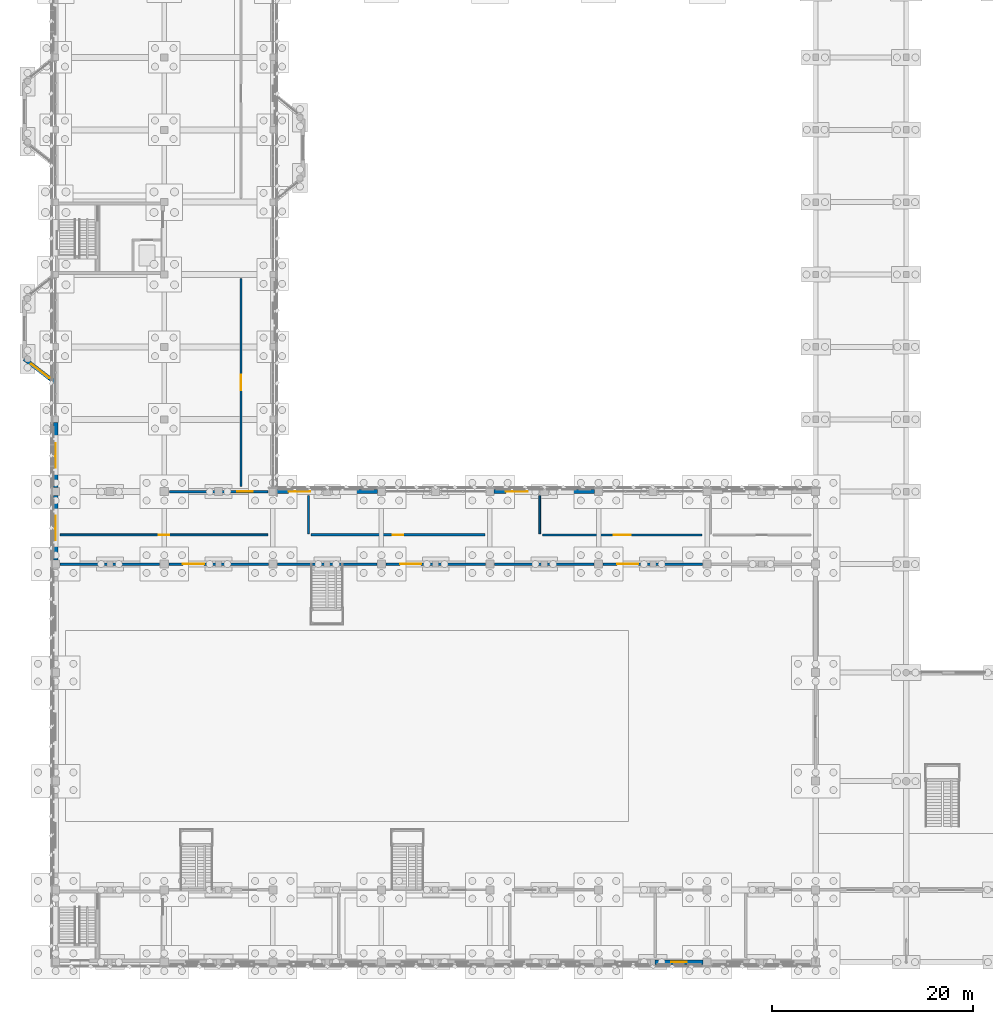
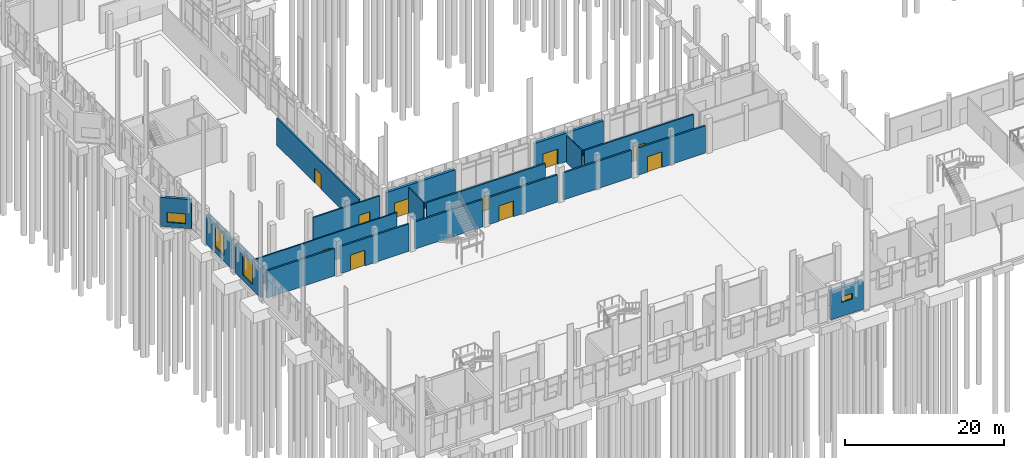
# One storey, part 83 of 109: 19 walls, 10 doors, 4 windows, 14 openings.
"""IFC4 building model written with IfcOpenShell, lengths in metres."""

from ifc_helpers import new_model, si_unit, direction, frame, frame_2d, origin, place, context, subcontext, project, spatial, rectangle, extrude, material, layer, layer_set, type_object, element, fill, save


model = new_model("IFC4")

# Units and contexts
model_context = context("Model", 3, precision=1e-05, world=origin(), true_north=direction((0.0, 1.0)))
body_context = subcontext(model_context, "Body", "Model", "MODEL_VIEW")
ifc_project = project(units=[si_unit("LENGTHUNIT", "METRE"), si_unit("AREAUNIT", "SQUARE_METRE"), si_unit("VOLUMEUNIT", "CUBIC_METRE"), si_unit("PLANEANGLEUNIT", "RADIAN"), si_unit("MASSUNIT", "GRAM", prefix="KILO")], contexts=[model_context])

# Site, building, storey
site_placement = place(None, origin())
site = spatial("IfcSite", under=ifc_project, at=site_placement, CompositionType="ELEMENT")
building_placement = place(site_placement, origin())
building = spatial("IfcBuilding", under=site, at=building_placement, Name="Lusvemor Sports Hall", CompositionType="ELEMENT")
storey_placement = place(building_placement, origin())
storey = spatial("IfcBuildingStorey", under=building, at=storey_placement, Name="L00", CompositionType="ELEMENT", Elevation=0.0)

# Wall, opening, door
ifc_material_1 = material(Name="Precast granite-faced Concrete C40/50 architectural cladding", Category="masonry")
ifc_layer_1 = layer(ifc_material_1, 0.39501953125)
ifc_layer_set_1 = layer_set([ifc_layer_1], Name="Precast granite-faced Concrete C40/50 architectural cladding")
wall_type_1 = type_object("IfcWallType", Name="EW_GRANITE_395", PredefinedType="STANDARD", material=ifc_layer_set_1)
wall_1_placement = place(storey_placement, frame((21.99609375, 46.800048828125, 0.0), z_axis=(0.0, 0.0, 1.0), x_axis=(1.0, 0.0, 0.0)))
wall_1 = element("IfcWall", 1, at=wall_1_placement, inside=storey, type_object=wall_type_1, Name="Exterior Wall EW-V1N-L00-2", PredefinedType="STANDARD", context=body_context, shape_type="SweptSolid", body=[
    extrude(rectangle(XDim=10.0078125, YDim=0.39501953125, at=frame_2d((5.00390625, 0.0))), origin(), (0.0, 0.0, 1.0), 4.405029296875),
])
opening_1_placement = place(wall_1_placement, frame((1.18408203125, 0.0, 0.0)))
opening_1 = element("IfcOpeningElement", 2, at=opening_1_placement, cuts=wall_1, Name="Opening ED12", PredefinedType="OPENING", context=body_context, shape_type="SweptSolid", body=[
    extrude(rectangle(XDim=2.159912109375, YDim=2.3798828125, at=frame_2d((1.080078125, 1.18994140625))), frame((0.0, 0.197509765625, 0.0), z_axis=(0.0, -1.0, 0.0), x_axis=(1.0, 0.0, 0.0)), (0.0, 0.0, 1.0), 0.39501953125),
])
ifc_material_2 = material(Name="Thermally broken bronze-anodized aluminium", Category="aluminium")
door_type_1 = type_object("IfcDoorType", Name="EDR_COURT_N_216x238", OperationType="NOTDEFINED", PredefinedType="DOOR", material=ifc_material_2)
door_1_placement = place(opening_1_placement, origin())
door_1 = element("IfcDoor", 3, at=door_1_placement, inside=storey, type_object=door_type_1, Name="DR-010", OperationType="SINGLE_SWING_LEFT", OverallHeight=2.3798828125, OverallWidth=2.159912109375, PredefinedType="DOOR", context=body_context, shape_type="SweptSolid", body=[
    extrude(rectangle(XDim=2.159912109375, YDim=2.3798828125, at=frame_2d((1.080078125, 1.18994140625))), frame((0.0, 0.02490234375, 0.0), z_axis=(0.0, -1.0, 0.0), x_axis=(1.0, 0.0, 0.0)), (0.0, 0.0, 1.0), 0.050048828125),
])
fill(opening_1, door_1)

wall_2_placement = place(storey_placement, frame((43.595947265625, 46.800048828125, 0.0), z_axis=(0.0, 0.0, 1.0), x_axis=(1.0, 0.0, 0.0)))
wall_2 = element("IfcWall", 4, at=wall_2_placement, inside=storey, type_object=wall_type_1, Name="Exterior Wall EW-V1N-L00-4", PredefinedType="STANDARD", context=body_context, shape_type="SweptSolid", body=[
    extrude(rectangle(XDim=10.008056640625, YDim=0.39501953125, at=frame_2d((5.00390625, 0.0))), origin(), (0.0, 0.0, 1.0), 4.405029296875),
])
opening_2_placement = place(wall_2_placement, frame((1.18408203125, 0.0, 0.0)))
opening_2 = element("IfcOpeningElement", 5, at=opening_2_placement, cuts=wall_2, Name="Opening ED12", PredefinedType="OPENING", context=body_context, shape_type="SweptSolid", body=[
    extrude(rectangle(XDim=2.159912109375, YDim=2.3798828125, at=frame_2d((1.080078125, 1.18994140625))), frame((0.0, 0.197509765625, 0.0), z_axis=(0.0, -1.0, 0.0), x_axis=(1.0, 0.0, 0.0)), (0.0, 0.0, 1.0), 0.39501953125),
])
door_2_placement = place(opening_2_placement, origin())
door_2 = element("IfcDoor", 6, at=door_2_placement, inside=storey, type_object=door_type_1, Name="DR-011", OperationType="SINGLE_SWING_LEFT", OverallHeight=2.3798828125, OverallWidth=2.159912109375, PredefinedType="DOOR", context=body_context, shape_type="SweptSolid", body=[
    extrude(rectangle(XDim=2.159912109375, YDim=2.3798828125, at=frame_2d((1.080078125, 1.18994140625))), frame((0.0, 0.02490234375, 0.0), z_axis=(0.0, -1.0, 0.0), x_axis=(1.0, 0.0, 0.0)), (0.0, 0.0, 1.0), 0.050048828125),
])
fill(opening_2, door_2)

# Wall, opening, window
wall_3_placement = place(storey_placement, frame((-0.00439453125, 57.603271484375, 0.0), z_axis=(0.0, 0.0, 1.0), x_axis=(-0.790705407242, 0.612196830242, 0.0)))
wall_3 = element("IfcWall", 7, at=wall_3_placement, inside=storey, type_object=wall_type_1, Name="Art Nouveau Bow Wall EW-BOW-W1-L00-1", PredefinedType="STANDARD", context=body_context, shape_type="SweptSolid", body=[
    extrude(rectangle(XDim=3.9580078125, YDim=0.39501953125, at=frame_2d((1.97900390625, 0.0))), origin(), (0.0, 0.0, 1.0), 4.47998046875),
])
opening_3_placement = place(wall_3_placement, frame((0.794677734375, 0.0, 0.699951171875)))
opening_3 = element("IfcOpeningElement", 8, at=opening_3_placement, cuts=wall_3, Name="Opening WN21", PredefinedType="OPENING", context=body_context, shape_type="SweptSolid", body=[
    extrude(rectangle(XDim=2.320068359375, YDim=1.52001953125, at=frame_2d((1.16015625, 0.760009765625))), frame((0.0, 0.197509765625, 0.0), z_axis=(0.0, -1.0, 0.0), x_axis=(1.0, 0.0, 0.0)), (0.0, 0.0, 1.0), 0.39501953125),
])
ifc_material_3 = material(Name="Solar-control laminated double glazing", Category="glass")
window_type_1 = type_object("IfcWindowType", Name="WIN_21", PartitioningType="SINGLE_PANEL", PredefinedType="WINDOW", material=ifc_material_3)
window_1_placement = place(opening_3_placement, origin())
window_1 = element("IfcWindow", 9, at=window_1_placement, inside=storey, type_object=window_type_1, Name="Art Nouveau Bow Window BOW-W1 L00-1", OverallHeight=1.52001953125, OverallWidth=2.320068359375, PartitioningType="SINGLE_PANEL", PredefinedType="WINDOW", context=body_context, shape_type="SweptSolid", body=[
    extrude(rectangle(XDim=2.320068359375, YDim=1.52001953125, at=frame_2d((1.16015625, 0.760009765625))), frame((0.0, 0.030029296875, 0.0), z_axis=(0.0, -1.0, 0.0), x_axis=(1.0, 0.0, 0.0)), (0.0, 0.0, 1.0), 0.06005859375),
])
fill(opening_3, window_1)

ifc_material_4 = material(Name="Precast granite-faced Concrete C40/50 architectural cladding", Category="masonry")
ifc_layer_2 = layer(ifc_material_4, 0.419921875)
ifc_layer_set_2 = layer_set([ifc_layer_2], Name="Precast granite-faced Concrete C40/50 architectural cladding")
wall_type_2 = type_object("IfcWallType", Name="EW_GRANITE_420", PredefinedType="STANDARD", material=ifc_layer_set_2)
wall_4_placement = place(storey_placement, frame((64.404052734375, 0.0, 0.0), z_axis=(0.0, 0.0, 1.0), x_axis=(-1.0, 0.0, 0.0)))
wall_4 = element("IfcWall", 10, at=wall_4_placement, inside=storey, type_object=wall_type_2, Name="Exterior Wall EW-V1S-L00-5-2", PredefinedType="STANDARD", context=body_context, shape_type="SweptSolid", body=[
    extrude(rectangle(XDim=4.782958984375, YDim=0.419921875, at=frame_2d((2.3916015625, 0.0))), origin(), (0.0, 0.0, 1.0), 4.405029296875),
])
opening_4_placement = place(wall_4_placement, frame((1.6240234375, 0.0, 2.14990234375)))
opening_4 = element("IfcOpeningElement", 11, at=opening_4_placement, cuts=wall_4, Name="Opening WN14", PredefinedType="OPENING", context=body_context, shape_type="SweptSolid", body=[
    extrude(rectangle(XDim=1.5400390625, YDim=0.860107421875, at=frame_2d((0.77001953125, 0.43017578125))), frame((0.0, 0.2099609375, 0.0), z_axis=(0.0, -1.0, 0.0), x_axis=(1.0, 0.0, 0.0)), (0.0, 0.0, 1.0), 0.419921875),
])
ifc_material_5 = material(Name="Solar-control laminated double glazing", Category="glass")
window_type_2 = type_object("IfcWindowType", Name="WIN_14", PartitioningType="SINGLE_PANEL", PredefinedType="WINDOW", material=ifc_material_5)
window_2_placement = place(opening_4_placement, origin())
window_2 = element("IfcWindow", 12, at=window_2_placement, inside=storey, type_object=window_type_2, Name="Boulevard Trough Changing Window 5.2", OverallHeight=0.860107421875, OverallWidth=1.5400390625, PartitioningType="SINGLE_PANEL", PredefinedType="WINDOW", context=body_context, shape_type="SweptSolid", body=[
    extrude(rectangle(XDim=1.5400390625, YDim=0.860107421875, at=frame_2d((0.77001953125, 0.43017578125))), frame((0.0, 0.030029296875, 0.0), z_axis=(0.0, -1.0, 0.0), x_axis=(1.0, 0.0, 0.0)), (0.0, 0.0, 1.0), 0.06005859375),
])
fill(opening_4, window_2)

wall_5_placement = place(storey_placement, frame((0.0, 39.99609375, 0.0), z_axis=(0.0, 0.0, 1.0), x_axis=(0.0, 1.0, 0.0)))
wall_5 = element("IfcWall", 13, at=wall_5_placement, inside=storey, type_object=wall_type_2, Name="Exterior Wall EW-V1W-L00-5", PredefinedType="STANDARD", context=body_context, shape_type="SweptSolid", body=[
    extrude(rectangle(XDim=6.407958984375, YDim=0.419921875, at=frame_2d((3.2041015625, 0.0))), origin(), (0.0, 0.0, 1.0), 4.4951171875),
])
opening_5_placement = place(wall_5_placement, frame((1.97900390625, 0.0, 0.800048828125)))
opening_5 = element("IfcOpeningElement", 14, at=opening_5_placement, cuts=wall_5, Name="Opening WN01", PredefinedType="OPENING", context=body_context, shape_type="SweptSolid", body=[
    extrude(rectangle(XDim=2.449951171875, YDim=3.25, at=frame_2d((1.22509765625, 1.625))), frame((0.0, 0.2099609375, 0.0), z_axis=(0.0, -1.0, 0.0), x_axis=(1.0, 0.0, 0.0)), (0.0, 0.0, 1.0), 0.419921875),
])
ifc_material_6 = material(Name="Solar-control laminated double glazing", Category="glass")
window_type_3 = type_object("IfcWindowType", Name="WIN_01", PartitioningType="SINGLE_PANEL", PredefinedType="WINDOW", material=ifc_material_6)
window_3_placement = place(opening_5_placement, origin())
window_3 = element("IfcWindow", 15, at=window_3_placement, inside=storey, type_object=window_type_3, Name="West Court Arched Window 5", OverallHeight=3.25, OverallWidth=2.449951171875, PartitioningType="SINGLE_PANEL", PredefinedType="WINDOW", context=body_context, shape_type="SweptSolid", body=[
    extrude(rectangle(XDim=2.449951171875, YDim=3.25, at=frame_2d((1.22509765625, 1.625))), frame((0.0, 0.030029296875, 0.0), z_axis=(0.0, -1.0, 0.0), x_axis=(1.0, 0.0, 0.0)), (0.0, 0.0, 1.0), 0.06005859375),
])
fill(opening_5, window_3)

wall_6_placement = place(storey_placement, frame((0.0, 47.196044921875, 0.0), z_axis=(0.0, 0.0, 1.0), x_axis=(0.0, 1.0, 0.0)))
wall_6 = element("IfcWall", 16, at=wall_6_placement, inside=storey, type_object=wall_type_2, Name="Exterior Wall EW-L00-W-0-0", PredefinedType="STANDARD", context=body_context, shape_type="SweptSolid", body=[
    extrude(rectangle(XDim=6.488037109375, YDim=0.419921875, at=frame_2d((3.244140625, 0.0))), origin(), (0.0, 0.0, 1.0), 4.514892578125),
])
opening_6_placement = place(wall_6_placement, frame((1.97900390625, 0.0, 0.89990234375)))
opening_6 = element("IfcOpeningElement", 17, at=opening_6_placement, cuts=wall_6, Name="Opening WN01", PredefinedType="OPENING", context=body_context, shape_type="SweptSolid", body=[
    extrude(rectangle(XDim=2.449951171875, YDim=3.25, at=frame_2d((1.22509765625, 1.625))), frame((0.0, 0.2099609375, 0.0), z_axis=(0.0, -1.0, 0.0), x_axis=(1.0, 0.0, 0.0)), (0.0, 0.0, 1.0), 0.419921875),
])
window_4_placement = place(opening_6_placement, origin())
window_4 = element("IfcWindow", 18, at=window_4_placement, inside=storey, type_object=window_type_3, Name="Wing Window L00-W-0-0", OverallHeight=3.25, OverallWidth=2.449951171875, PartitioningType="SINGLE_PANEL", PredefinedType="WINDOW", context=body_context, shape_type="SweptSolid", body=[
    extrude(rectangle(XDim=2.449951171875, YDim=3.25, at=frame_2d((1.22509765625, 1.625))), frame((0.0, 0.030029296875, 0.0), z_axis=(0.0, -1.0, 0.0), x_axis=(1.0, 0.0, 0.0)), (0.0, 0.0, 1.0), 0.06005859375),
])
fill(opening_6, window_4)

# Wall, opening, door
ifc_material_7 = material(Name="Double-leaf acoustic gypsum board on metal studs")
ifc_layer_3 = layer(ifc_material_7, 0.199951171875)
ifc_layer_set_3 = layer_set([ifc_layer_3], Name="Double-leaf acoustic gypsum board on metal studs")
wall_type_3 = type_object("IfcWallType", Name="IW_ACOUST_202", PredefinedType="STANDARD", material=ifc_layer_set_3)
wall_7_placement = place(storey_placement, frame((18.449951171875, 47.300048828125, 0.0), z_axis=(0.0, 0.0, 1.0), x_axis=(0.0, 1.0, 0.0)))
wall_7 = element("IfcWall", 19, at=wall_7_placement, inside=storey, type_object=wall_type_3, Name="Partition IW-L00-W-FIT1", PredefinedType="STANDARD", context=body_context, shape_type="SweptSolid", body=[
    extrude(rectangle(XDim=20.699951171875, YDim=0.199951171875, at=frame_2d((10.35009765625, 0.0))), origin(), (0.0, 0.0, 1.0), 4.199951171875),
])
opening_7_placement = place(wall_7_placement, frame((9.570068359375, 0.0, 0.0)))
opening_7 = element("IfcOpeningElement", 20, at=opening_7_placement, cuts=wall_7, Name="Opening ID04", PredefinedType="OPENING", context=body_context, shape_type="SweptSolid", body=[
    extrude(rectangle(XDim=1.56005859375, YDim=2.25, at=frame_2d((0.780029296875, 1.125))), frame((0.0, 0.10009765625, 0.0), z_axis=(0.0, -1.0, 0.0), x_axis=(1.0, 0.0, 0.0)), (0.0, 0.0, 1.0), 0.199951171875),
])
ifc_material_8 = material(Name="Acoustic solid-core hardwood door leaf in steel frame", Category="steel")
door_type_2 = type_object("IfcDoorType", Name="IDR_STUDIO_156", OperationType="NOTDEFINED", PredefinedType="DOOR", material=ifc_material_8)
door_3_placement = place(opening_7_placement, origin())
door_3 = element("IfcDoor", 21, at=door_3_placement, inside=storey, type_object=door_type_2, Name="DR-158", OperationType="SINGLE_SWING_RIGHT", OverallHeight=2.25, OverallWidth=1.56005859375, PredefinedType="DOOR", context=body_context, shape_type="SweptSolid", body=[
    extrude(rectangle(XDim=1.56005859375, YDim=2.25, at=frame_2d((0.780029296875, 1.125))), frame((0.0, 0.02490234375, 0.0), z_axis=(0.0, -1.0, 0.0), x_axis=(1.0, 0.0, 0.0)), (0.0, 0.0, 1.0), 0.050048828125),
])
fill(opening_7, door_3)

ifc_material_9 = material(Name="Plastered ceramic masonry blockwork", Category="masonry")
ifc_layer_4 = layer(ifc_material_9, 0.219970703125)
ifc_layer_set_4 = layer_set([ifc_layer_4], Name="Plastered ceramic masonry blockwork")
wall_type_4 = type_object("IfcWallType", Name="IW_COMP_224", PredefinedType="STANDARD", material=ifc_layer_set_4)
wall_8_placement = place(storey_placement, frame((11.300048828125, 46.800048828125, 0.0), z_axis=(0.0, 0.0, 1.0), x_axis=(1.0, 0.0, 0.0)))
wall_8 = element("IfcWall", 22, at=wall_8_placement, inside=storey, type_object=wall_type_4, Name="Partition IW-L00-V1N-WLINK", PredefinedType="STANDARD", context=body_context, shape_type="SweptSolid", body=[
    extrude(rectangle(XDim=9.800048828125, YDim=0.219970703125, at=frame_2d((4.89990234375, 0.0))), origin(), (0.0, 0.0, 1.0), 4.199951171875),
])
opening_8_placement = place(wall_8_placement, frame((6.739990234375, 0.0, 0.0)))
opening_8 = element("IfcOpeningElement", 23, at=opening_8_placement, cuts=wall_8, Name="Opening ID24", PredefinedType="OPENING", context=body_context, shape_type="SweptSolid", body=[
    extrude(rectangle(XDim=1.580078125, YDim=2.239990234375, at=frame_2d((0.7900390625, 1.1201171875))), frame((0.0, 0.10986328125, 0.0), z_axis=(0.0, -1.0, 0.0), x_axis=(1.0, 0.0, 0.0)), (0.0, 0.0, 1.0), 0.219970703125),
])
ifc_material_10 = material(Name="Fire-rated insulated painted steel door assembly", Category="steel")
door_type_3 = type_object("IfcDoorType", Name="IDR_GAL_LINK_158", OperationType="NOTDEFINED", PredefinedType="DOOR", material=ifc_material_10)
door_4_placement = place(opening_8_placement, origin())
door_4 = element("IfcDoor", 24, at=door_4_placement, inside=storey, type_object=door_type_3, Name="DR-139", OperationType="SINGLE_SWING_LEFT", OverallHeight=2.239990234375, OverallWidth=1.580078125, PredefinedType="DOOR", context=body_context, shape_type="SweptSolid", body=[
    extrude(rectangle(XDim=1.580078125, YDim=2.239990234375, at=frame_2d((0.7900390625, 1.1201171875))), frame((0.0, 0.02490234375, 0.0), z_axis=(0.0, -1.0, 0.0), x_axis=(1.0, 0.0, 0.0)), (0.0, 0.0, 1.0), 0.050048828125),
])
fill(opening_8, door_4)

wall_9_placement = place(storey_placement, frame((48.39990234375, 42.5, 0.0), z_axis=(0.0, 0.0, 1.0), x_axis=(1.0, 0.0, 0.0)))
wall_9 = element("IfcWall", 25, at=wall_9_placement, inside=storey, type_object=wall_type_4, Name="Partition IW-L00-STRV1", PredefinedType="STANDARD", context=body_context, shape_type="SweptSolid", body=[
    extrude(rectangle(XDim=15.900146484375, YDim=0.219970703125, at=frame_2d((7.9501953125, 0.0))), origin(), (0.0, 0.0, 1.0), 4.199951171875),
])
opening_9_placement = place(wall_9_placement, frame((7.10009765625, 0.0, 0.0)))
opening_9 = element("IfcOpeningElement", 26, at=opening_9_placement, cuts=wall_9, Name="Opening DR-FD60-03", PredefinedType="OPENING", context=body_context, shape_type="SweptSolid", body=[
    extrude(rectangle(XDim=1.699951171875, YDim=2.260009765625, at=frame_2d((0.85009765625, 1.1298828125))), frame((0.0, 0.10986328125, 0.0), z_axis=(0.0, -1.0, 0.0), x_axis=(1.0, 0.0, 0.0)), (0.0, 0.0, 1.0), 0.219970703125),
])
ifc_material_11 = material(Name="Fire-rated insulated painted steel door assembly", Category="steel")
door_type_4 = type_object("IfcDoorType", Name="IDR_STORE_FD60_170", OperationType="NOTDEFINED", PredefinedType="DOOR", material=ifc_material_11)
door_5_placement = place(opening_9_placement, origin())
door_5 = element("IfcDoor", 27, at=door_5_placement, inside=storey, type_object=door_type_4, Name="DR-142", OperationType="SINGLE_SWING_RIGHT", OverallHeight=2.260009765625, OverallWidth=1.699951171875, PredefinedType="DOOR", context=body_context, shape_type="SweptSolid", body=[
    extrude(rectangle(XDim=1.699951171875, YDim=2.260009765625, at=frame_2d((0.85009765625, 1.1298828125))), frame((0.0, 0.02490234375, 0.0), z_axis=(0.0, -1.0, 0.0), x_axis=(1.0, 0.0, 0.0)), (0.0, 0.0, 1.0), 0.050048828125),
])
fill(opening_9, door_5)

# Wall
ifc_material_12 = material(Name="Plastered ceramic masonry blockwork", Category="masonry")
ifc_layer_5 = layer(ifc_material_12, 0.25)
ifc_layer_set_5 = layer_set([ifc_layer_5], Name="Plastered ceramic masonry blockwork")
wall_type_5 = type_object("IfcWallType", Name="IW_COMP_248", PredefinedType="STANDARD", material=ifc_layer_set_5)
wall_10_placement = place(storey_placement, frame((0.449951171875, 39.60009765625, 0.0), z_axis=(0.0, 0.0, 1.0), x_axis=(1.0, 0.0, 0.0)))
element("IfcWall", 28, at=wall_10_placement, inside=storey, type_object=wall_type_5, Name="Partition IW-L00-V1NC-0", PredefinedType="STANDARD", context=body_context, shape_type="SweptSolid", body=[
    extrude(rectangle(XDim=9.900146484375, YDim=0.25, at=frame_2d((4.9501953125, 0.0))), origin(), (0.0, 0.0, 1.0), 4.199951171875),
])

# Wall, opening, door
wall_11_placement = place(storey_placement, frame((11.25, 39.60009765625, 0.0), z_axis=(0.0, 0.0, 1.0), x_axis=(1.0, 0.0, 0.0)))
wall_11 = element("IfcWall", 29, at=wall_11_placement, inside=storey, type_object=wall_type_5, Name="Partition IW-L00-V1NC-1", PredefinedType="STANDARD", context=body_context, shape_type="SweptSolid", body=[
    extrude(rectangle(XDim=9.89990234375, YDim=0.25, at=frame_2d((4.949951171875, 0.0))), origin(), (0.0, 0.0, 1.0), 4.199951171875),
])
opening_10_placement = place(wall_11_placement, frame((1.404052734375, 0.0, 0.0)))
opening_10 = element("IfcOpeningElement", 30, at=opening_10_placement, cuts=wall_11, Name="Opening ID01", PredefinedType="OPENING", context=body_context, shape_type="SweptSolid", body=[
    extrude(rectangle(XDim=2.10009765625, YDim=2.39990234375, at=frame_2d((1.050048828125, 1.199951171875))), frame((0.0, 0.125, 0.0), z_axis=(0.0, -1.0, 0.0), x_axis=(1.0, 0.0, 0.0)), (0.0, 0.0, 1.0), 0.25),
])
ifc_material_13 = material(Name="Acoustic solid-core hardwood door leaf in steel frame", Category="steel")
door_type_5 = type_object("IfcDoorType", Name="IDR_COURT_DBL_210", OperationType="NOTDEFINED", PredefinedType="DOOR", material=ifc_material_13)
door_6_placement = place(opening_10_placement, origin())
door_6 = element("IfcDoor", 31, at=door_6_placement, inside=storey, type_object=door_type_5, Name="DR-136", OperationType="SINGLE_SWING_RIGHT", OverallHeight=2.39990234375, OverallWidth=2.10009765625, PredefinedType="DOOR", context=body_context, shape_type="SweptSolid", body=[
    extrude(rectangle(XDim=2.10009765625, YDim=2.39990234375, at=frame_2d((1.050048828125, 1.199951171875))), frame((0.0, 0.02490234375, 0.0), z_axis=(0.0, -1.0, 0.0), x_axis=(1.0, 0.0, 0.0)), (0.0, 0.0, 1.0), 0.050048828125),
])
fill(opening_10, door_6)

# Wall
wall_12_placement = place(storey_placement, frame((22.050048828125, 39.60009765625, 0.0), z_axis=(0.0, 0.0, 1.0), x_axis=(1.0, 0.0, 0.0)))
element("IfcWall", 32, at=wall_12_placement, inside=storey, type_object=wall_type_5, Name="Partition IW-L00-V1NC-2", PredefinedType="STANDARD", context=body_context, shape_type="SweptSolid", body=[
    extrude(rectangle(XDim=9.89990234375, YDim=0.25, at=frame_2d((4.949951171875, 0.0))), origin(), (0.0, 0.0, 1.0), 4.199951171875),
])

# Wall, opening, door
wall_13_placement = place(storey_placement, frame((32.85009765625, 39.60009765625, 0.0), z_axis=(0.0, 0.0, 1.0), x_axis=(1.0, 0.0, 0.0)))
wall_13 = element("IfcWall", 33, at=wall_13_placement, inside=storey, type_object=wall_type_5, Name="Partition IW-L00-V1NC-3", PredefinedType="STANDARD", context=body_context, shape_type="SweptSolid", body=[
    extrude(rectangle(XDim=9.89990234375, YDim=0.25, at=frame_2d((4.949951171875, 0.0))), origin(), (0.0, 0.0, 1.0), 4.199951171875),
])
opening_11_placement = place(wall_13_placement, frame((1.404052734375, 0.0, 0.0)))
opening_11 = element("IfcOpeningElement", 34, at=opening_11_placement, cuts=wall_13, Name="Opening ID01", PredefinedType="OPENING", context=body_context, shape_type="SweptSolid", body=[
    extrude(rectangle(XDim=2.10009765625, YDim=2.39990234375, at=frame_2d((1.050048828125, 1.199951171875))), frame((0.0, 0.125, 0.0), z_axis=(0.0, -1.0, 0.0), x_axis=(1.0, 0.0, 0.0)), (0.0, 0.0, 1.0), 0.25),
])
door_7_placement = place(opening_11_placement, origin())
door_7 = element("IfcDoor", 35, at=door_7_placement, inside=storey, type_object=door_type_5, Name="DR-137", OperationType="SINGLE_SWING_LEFT", OverallHeight=2.39990234375, OverallWidth=2.10009765625, PredefinedType="DOOR", context=body_context, shape_type="SweptSolid", body=[
    extrude(rectangle(XDim=2.10009765625, YDim=2.39990234375, at=frame_2d((1.050048828125, 1.199951171875))), frame((0.0, 0.02490234375, 0.0), z_axis=(0.0, -1.0, 0.0), x_axis=(1.0, 0.0, 0.0)), (0.0, 0.0, 1.0), 0.050048828125),
])
fill(opening_11, door_7)

# Wall
wall_14_placement = place(storey_placement, frame((43.64990234375, 39.60009765625, 0.0), z_axis=(0.0, 0.0, 1.0), x_axis=(1.0, 0.0, 0.0)))
element("IfcWall", 36, at=wall_14_placement, inside=storey, type_object=wall_type_5, Name="Partition IW-L00-V1NC-4", PredefinedType="STANDARD", context=body_context, shape_type="SweptSolid", body=[
    extrude(rectangle(XDim=9.900146484375, YDim=0.25, at=frame_2d((4.9501953125, 0.0))), origin(), (0.0, 0.0, 1.0), 4.199951171875),
])

# Wall, opening, door
wall_15_placement = place(storey_placement, frame((54.449951171875, 39.60009765625, 0.0), z_axis=(0.0, 0.0, 1.0), x_axis=(1.0, 0.0, 0.0)))
wall_15 = element("IfcWall", 37, at=wall_15_placement, inside=storey, type_object=wall_type_5, Name="Partition IW-L00-V1NC-5", PredefinedType="STANDARD", context=body_context, shape_type="SweptSolid", body=[
    extrude(rectangle(XDim=9.900146484375, YDim=0.25, at=frame_2d((4.9501953125, 0.0))), origin(), (0.0, 0.0, 1.0), 4.199951171875),
])
opening_12_placement = place(wall_15_placement, frame((1.404052734375, 0.0, 0.0)))
opening_12 = element("IfcOpeningElement", 38, at=opening_12_placement, cuts=wall_15, Name="Opening ID01", PredefinedType="OPENING", context=body_context, shape_type="SweptSolid", body=[
    extrude(rectangle(XDim=2.10009765625, YDim=2.39990234375, at=frame_2d((1.050048828125, 1.199951171875))), frame((0.0, 0.125, 0.0), z_axis=(0.0, -1.0, 0.0), x_axis=(1.0, 0.0, 0.0)), (0.0, 0.0, 1.0), 0.25),
])
door_8_placement = place(opening_12_placement, origin())
door_8 = element("IfcDoor", 39, at=door_8_placement, inside=storey, type_object=door_type_5, Name="DR-138", OperationType="SINGLE_SWING_RIGHT", OverallHeight=2.39990234375, OverallWidth=2.10009765625, PredefinedType="DOOR", context=body_context, shape_type="SweptSolid", body=[
    extrude(rectangle(XDim=2.10009765625, YDim=2.39990234375, at=frame_2d((1.050048828125, 1.199951171875))), frame((0.0, 0.02490234375, 0.0), z_axis=(0.0, -1.0, 0.0), x_axis=(1.0, 0.0, 0.0)), (0.0, 0.0, 1.0), 0.050048828125),
])
fill(opening_12, door_8)

# Walls
ifc_material_14 = material(Name="Moisture-resistant tiled plumbing service wall")
ifc_layer_6 = layer(ifc_material_14, 0.159912109375)
ifc_layer_set_6 = layer_set([ifc_layer_6], Name="Moisture-resistant tiled plumbing service wall")
wall_type_6 = type_object("IfcWallType", Name="PW_WET_160", PredefinedType="PLUMBINGWALL", material=ifc_layer_set_6)
for number, where, z_axis, x_axis, name in (
    (40, (25.14990234375, 42.60009765625, 0.0), (0.0, 0.0, 1.0), (0.0, 1.0, 0.0), "Partition IW-L00-V1NDIV-1"),
    (41, (48.14990234375, 42.60009765625, 0.0), (0.0, 0.0, 1.0), (0.0, 1.0, 0.0), "Partition IW-L00-V1NDIV-2"),
):
    element("IfcWall", number, at=place(storey_placement, frame(where, z_axis=z_axis, x_axis=x_axis)), inside=storey, type_object=wall_type_6, Name=name, PredefinedType="PLUMBINGWALL", context=body_context, shape_type="SweptSolid", body=[
        extrude(rectangle(XDim=3.7998046875, YDim=0.159912109375, at=frame_2d((1.89990234375, 0.0))), origin(), (0.0, 0.0, 1.0), 4.199951171875),
    ])

# Wall, opening, door
ifc_material_15 = material(Name="Moisture-resistant tiled plumbing service wall")
ifc_layer_7 = layer(ifc_material_15, 0.239990234375)
ifc_layer_set_7 = layer_set([ifc_layer_7], Name="Moisture-resistant tiled plumbing service wall")
wall_type_7 = type_object("IfcWallType", Name="PW_WET_176", PredefinedType="PLUMBINGWALL", material=ifc_layer_set_7)
wall_16_placement = place(storey_placement, frame((25.39990234375, 42.5, 0.0), z_axis=(0.0, 0.0, 1.0), x_axis=(1.0, 0.0, 0.0)))
wall_16 = element("IfcWall", 42, at=wall_16_placement, inside=storey, type_object=wall_type_7, Name="Partition IW-L00-CHGN2", PredefinedType="PLUMBINGWALL", context=body_context, shape_type="SweptSolid", body=[
    extrude(rectangle(XDim=17.300048828125, YDim=0.239990234375, at=frame_2d((8.64990234375, 0.0))), origin(), (0.0, 0.0, 1.0), 4.199951171875),
])
opening_13_placement = place(wall_16_placement, frame((8.1201171875, 0.0, 0.0)))
opening_13 = element("IfcOpeningElement", 43, at=opening_13_placement, cuts=wall_16, Name="Opening ID10", PredefinedType="OPENING", context=body_context, shape_type="SweptSolid", body=[
    extrude(rectangle(XDim=1.06005859375, YDim=2.139892578125, at=frame_2d((0.530029296875, 1.06982421875))), frame((0.0, 0.1201171875, 0.0), z_axis=(0.0, -1.0, 0.0), x_axis=(1.0, 0.0, 0.0)), (0.0, 0.0, 1.0), 0.239990234375),
])
ifc_material_16 = material(Name="Acoustic solid-core hardwood door leaf in steel frame", Category="steel")
door_type_6 = type_object("IfcDoorType", Name="IDR_CHG_106", OperationType="NOTDEFINED", PredefinedType="DOOR", material=ifc_material_16)
door_9_placement = place(opening_13_placement, origin())
door_9 = element("IfcDoor", 44, at=door_9_placement, inside=storey, type_object=door_type_6, Name="DR-141", OperationType="SINGLE_SWING_LEFT", OverallHeight=2.139892578125, OverallWidth=1.06005859375, PredefinedType="DOOR", context=body_context, shape_type="SweptSolid", body=[
    extrude(rectangle(XDim=1.06005859375, YDim=2.139892578125, at=frame_2d((0.530029296875, 1.06982421875))), frame((0.0, 0.02490234375, 0.0), z_axis=(0.0, -1.0, 0.0), x_axis=(1.0, 0.0, 0.0)), (0.0, 0.0, 1.0), 0.050048828125),
])
fill(opening_13, door_9)

ifc_material_17 = material(Name="Moisture-resistant tiled plumbing service wall")
ifc_layer_8 = layer(ifc_material_17, 0.18994140625)
ifc_layer_set_8 = layer_set([ifc_layer_8], Name="Moisture-resistant tiled plumbing service wall")
wall_type_8 = type_object("IfcWallType", Name="PW_WET_194", PredefinedType="PLUMBINGWALL", material=ifc_layer_set_8)
wall_17_placement = place(storey_placement, frame((0.449951171875, 42.5, 0.0), z_axis=(0.0, 0.0, 1.0), x_axis=(1.0, 0.0, 0.0)))
wall_17 = element("IfcWall", 45, at=wall_17_placement, inside=storey, type_object=wall_type_8, Name="Partition IW-L00-CHGN1", PredefinedType="PLUMBINGWALL", context=body_context, shape_type="SweptSolid", body=[
    extrude(rectangle(XDim=20.650146484375, YDim=0.18994140625, at=frame_2d((10.3251953125, 0.0))), origin(), (0.0, 0.0, 1.0), 4.199951171875),
])
opening_14_placement = place(wall_17_placement, frame((9.794921875, 0.0, 0.0)))
opening_14 = element("IfcOpeningElement", 46, at=opening_14_placement, cuts=wall_17, Name="Opening ID10", PredefinedType="OPENING", context=body_context, shape_type="SweptSolid", body=[
    extrude(rectangle(XDim=1.06005859375, YDim=2.139892578125, at=frame_2d((0.530029296875, 1.06982421875))), frame((0.0, 0.094970703125, 0.0), z_axis=(0.0, -1.0, 0.0), x_axis=(1.0, 0.0, 0.0)), (0.0, 0.0, 1.0), 0.18994140625),
])
door_10_placement = place(opening_14_placement, origin())
door_10 = element("IfcDoor", 47, at=door_10_placement, inside=storey, type_object=door_type_6, Name="DR-140", OperationType="SINGLE_SWING_RIGHT", OverallHeight=2.139892578125, OverallWidth=1.06005859375, PredefinedType="DOOR", context=body_context, shape_type="SweptSolid", body=[
    extrude(rectangle(XDim=1.06005859375, YDim=2.139892578125, at=frame_2d((0.530029296875, 1.06982421875))), frame((0.0, 0.02490234375, 0.0), z_axis=(0.0, -1.0, 0.0), x_axis=(1.0, 0.0, 0.0)), (0.0, 0.0, 1.0), 0.050048828125),
])
fill(opening_14, door_10)

save(model, "model.ifc")
